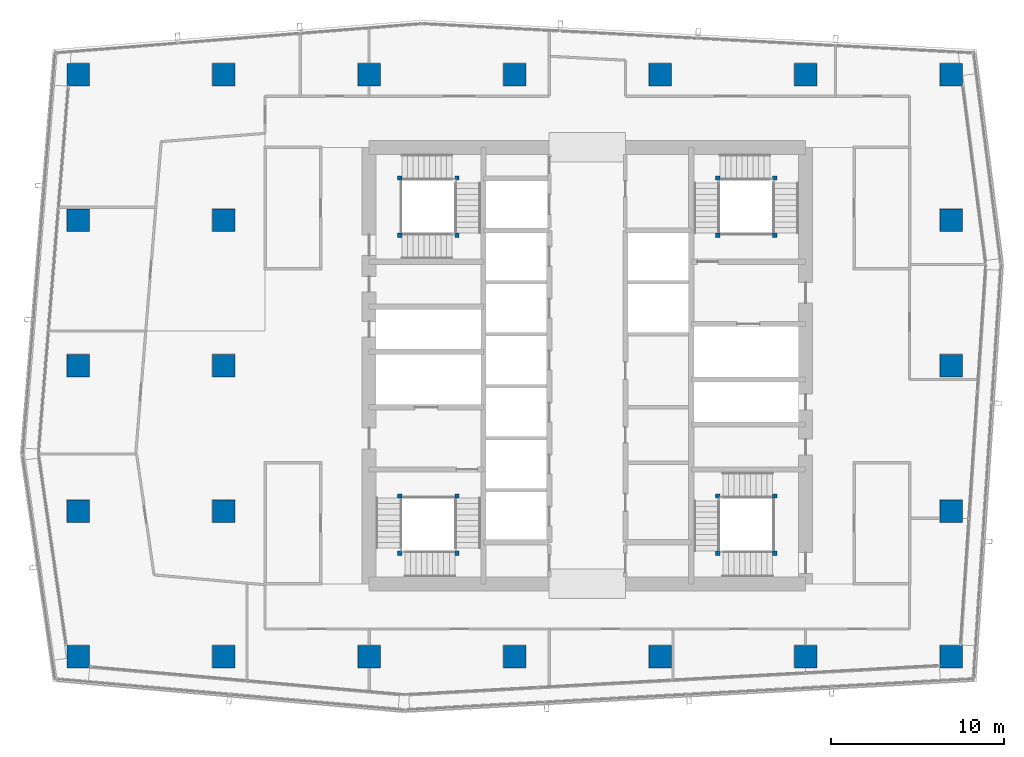
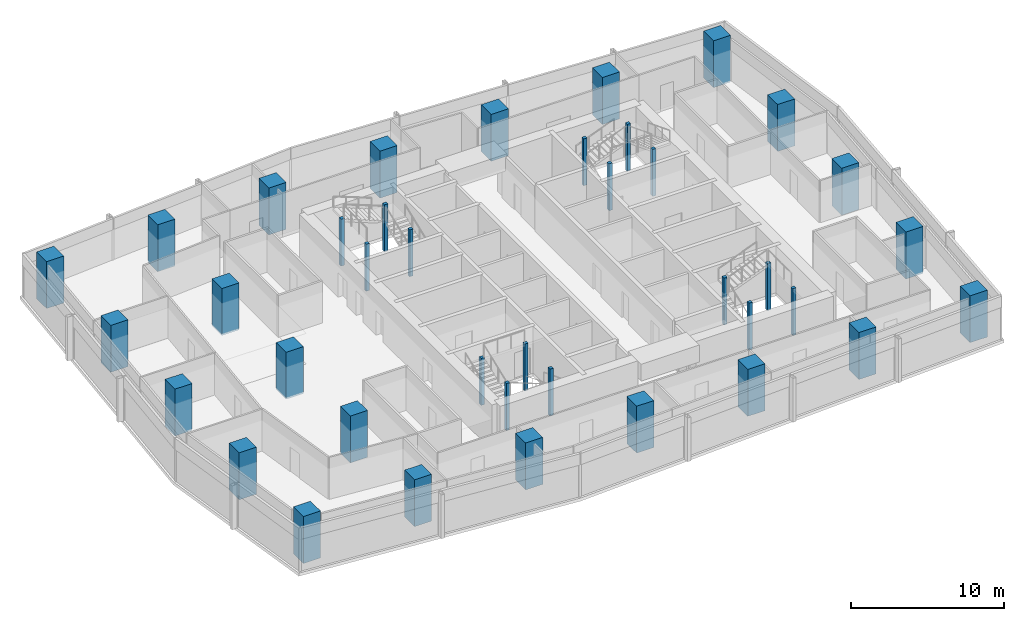
# One storey, part 1 of 29: 39 columns.
"""IFC4 building model written with IfcOpenShell, lengths in metres."""

from ifc_helpers import new_model, si_unit, direction, frame, origin, origin_2d, place, context, subcontext, project, spatial, rectangle, extrude, material, material_profile, profile_set, type_object, element, save


model = new_model("IFC4")

# Units and contexts
model_context = context("Model", 3, precision=1e-05, world=origin(), true_north=direction((0.0, 1.0)))
body_context = subcontext(model_context, "Body", "Model", "MODEL_VIEW")
ifc_project = project(units=[si_unit("LENGTHUNIT", "METRE"), si_unit("AREAUNIT", "SQUARE_METRE"), si_unit("VOLUMEUNIT", "CUBIC_METRE"), si_unit("PLANEANGLEUNIT", "RADIAN"), si_unit("MASSUNIT", "GRAM", prefix="KILO")], contexts=[model_context])

# Site, building, storey
site_placement = place(None, origin())
site = spatial("IfcSite", under=ifc_project, at=site_placement, CompositionType="ELEMENT")
building_placement = place(site_placement, origin())
building = spatial("IfcBuilding", under=site, at=building_placement, Name="Rekha Terrace Tower", CompositionType="ELEMENT")
storey_placement = place(building_placement, frame((0.0, 0.0, 276.35009765625)))
storey = spatial("IfcBuildingStorey", under=building, at=storey_placement, Name="L70", CompositionType="ELEMENT", Elevation=276.35009765625)

# Columns
ifc_material_1 = material(Name="Concrete M70", Category="concrete")
ifc_material_profile_1 = material_profile(ifc_material_1, rectangle(XDim=1.300048828125, YDim=1.300048828125, at=origin_2d()), Name="RC 1300x1300")
ifc_profile_set_1 = profile_set([ifc_material_profile_1], Name="Concrete M70")
column_type_1 = type_object("IfcColumnType", Name="C5C 1300x1300 column", PredefinedType="COLUMN", material=ifc_profile_set_1)
for number, where, z_axis, x_axis, name in (
    (1, (8.39990234375, 16.800048828125, 0.0), (0.0, 0.0, 1.0), (1.0, 0.0, 0.0), "Column C5C 2/C L70"),
    (2, (8.39990234375, 25.199951171875, 0.0), (0.0, 0.0, 1.0), (1.0, 0.0, 0.0), "Column C5C 2/D L70"),
    (3, (8.39990234375, 33.60009765625, 0.0), (0.0, 0.0, 1.0), (1.0, 0.0, 0.0), "Column C5C 2/E L70"),
    (4, (8.39990234375, 42.0, 0.0), (0.0, 0.0, 1.0), (1.0, 0.0, 0.0), "Column C5C 2/F L70"),
    (5, (8.39990234375, 50.39990234375, 0.0), (0.0, 0.0, 1.0), (1.0, 0.0, 0.0), "Column C5C 2/G L70"),
    (6, (16.800048828125, 16.800048828125, 0.0), (0.0, 0.0, 1.0), (1.0, 0.0, 0.0), "Column C5C 3/C L70"),
    (7, (16.800048828125, 25.199951171875, 0.0), (0.0, 0.0, 1.0), (1.0, 0.0, 0.0), "Column C5C 3/D L70"),
    (8, (16.800048828125, 33.60009765625, 0.0), (0.0, 0.0, 1.0), (1.0, 0.0, 0.0), "Column C5C 3/E L70"),
    (9, (16.800048828125, 42.0, 0.0), (0.0, 0.0, 1.0), (1.0, 0.0, 0.0), "Column C5C 3/F L70"),
    (10, (16.800048828125, 50.39990234375, 0.0), (0.0, 0.0, 1.0), (1.0, 0.0, 0.0), "Column C5C 3/G L70"),
    (11, (25.199951171875, 16.800048828125, 0.0), (0.0, 0.0, 1.0), (1.0, 0.0, 0.0), "Column C5C 4/C L70"),
    (12, (25.199951171875, 50.39990234375, 0.0), (0.0, 0.0, 1.0), (1.0, 0.0, 0.0), "Column C5C 4/G L70"),
    (13, (33.60009765625, 16.800048828125, 0.0), (0.0, 0.0, 1.0), (1.0, 0.0, 0.0), "Column C5C 5/C L70"),
    (14, (33.60009765625, 50.39990234375, 0.0), (0.0, 0.0, 1.0), (1.0, 0.0, 0.0), "Column C5C 5/G L70"),
    (15, (42.0, 16.800048828125, 0.0), (0.0, 0.0, 1.0), (1.0, 0.0, 0.0), "Column C5C 6/C L70"),
    (16, (42.0, 50.39990234375, 0.0), (0.0, 0.0, 1.0), (1.0, 0.0, 0.0), "Column C5C 6/G L70"),
    (17, (50.39990234375, 16.800048828125, 0.0), (0.0, 0.0, 1.0), (1.0, 0.0, 0.0), "Column C5C 7/C L70"),
    (18, (50.39990234375, 50.39990234375, 0.0), (0.0, 0.0, 1.0), (1.0, 0.0, 0.0), "Column C5C 7/G L70"),
    (19, (58.800048828125, 16.800048828125, 0.0), (0.0, 0.0, 1.0), (1.0, 0.0, 0.0), "Column C5C 8/C L70"),
    (20, (58.800048828125, 25.199951171875, 0.0), (0.0, 0.0, 1.0), (1.0, 0.0, 0.0), "Column C5C 8/D L70"),
    (21, (58.800048828125, 33.60009765625, 0.0), (0.0, 0.0, 1.0), (1.0, 0.0, 0.0), "Column C5C 8/E L70"),
    (22, (58.800048828125, 42.0, 0.0), (0.0, 0.0, 1.0), (1.0, 0.0, 0.0), "Column C5C 8/F L70"),
    (23, (58.800048828125, 50.39990234375, 0.0), (0.0, 0.0, 1.0), (1.0, 0.0, 0.0), "Column C5C 8/G L70"),
):
    element("IfcColumn", number, at=place(storey_placement, frame(where, z_axis=z_axis, x_axis=x_axis)), inside=storey, type_object=column_type_1, Name=name, PredefinedType="COLUMN", context=body_context, shape_type="SweptSolid", body=[
        extrude(rectangle(XDim=1.300048828125, YDim=1.300048828125, at=origin_2d()), origin(), (0.0, 0.0, 1.0), 3.75),
    ])
ifc_material_2 = material(Name="Concrete M60", Category="concrete")
ifc_material_profile_2 = material_profile(ifc_material_2, rectangle(XDim=0.25, YDim=0.25, at=origin_2d()), Name="RC 250x250")
ifc_profile_set_2 = profile_set([ifc_material_profile_2], Name="Concrete M60")
column_type_2 = type_object("IfcColumnType", Name="NP1 250x250 stair newel post", PredefinedType="COLUMN", material=ifc_profile_set_2)
for number, where, z_axis, x_axis, name in (
    (24, (30.27490234375, 26.074951171875, 0.0), (0.0, 0.0, 1.0), (1.0, 0.0, 0.0), "Stair newel post NP1"),
    (25, (30.27490234375, 22.77490234375, 0.0), (0.0, 0.0, 1.0), (1.0, 0.0, 0.0), "Stair newel post NP1"),
    (26, (26.97509765625, 22.77490234375, 0.0), (0.0, 0.0, 1.0), (1.0, 0.0, 0.0), "Stair newel post NP1"),
    (27, (26.97509765625, 26.074951171875, 0.0), (0.0, 0.0, 1.0), (1.0, 0.0, 0.0), "Stair newel post NP1"),
    (28, (45.324951171875, 41.125, 0.0), (0.0, 0.0, 1.0), (1.0, 0.0, 0.0), "Stair newel post NP1"),
    (29, (45.324951171875, 44.425048828125, 0.0), (0.0, 0.0, 1.0), (1.0, 0.0, 0.0), "Stair newel post NP1"),
    (30, (48.625, 44.425048828125, 0.0), (0.0, 0.0, 1.0), (1.0, 0.0, 0.0), "Stair newel post NP1"),
    (31, (48.625, 41.125, 0.0), (0.0, 0.0, 1.0), (1.0, 0.0, 0.0), "Stair newel post NP1"),
    (32, (48.625, 22.77490234375, 0.0), (0.0, 0.0, 1.0), (1.0, 0.0, 0.0), "Stair newel post NP1"),
    (33, (45.324951171875, 22.77490234375, 0.0), (0.0, 0.0, 1.0), (1.0, 0.0, 0.0), "Stair newel post NP1"),
    (34, (45.324951171875, 26.074951171875, 0.0), (0.0, 0.0, 1.0), (1.0, 0.0, 0.0), "Stair newel post NP1"),
    (35, (48.625, 26.074951171875, 0.0), (0.0, 0.0, 1.0), (1.0, 0.0, 0.0), "Stair newel post NP1"),
    (36, (26.97509765625, 41.125, 0.0), (0.0, 0.0, 1.0), (1.0, 0.0, 0.0), "Stair newel post NP1"),
    (37, (30.27490234375, 41.125, 0.0), (0.0, 0.0, 1.0), (1.0, 0.0, 0.0), "Stair newel post NP1"),
    (38, (30.27490234375, 44.425048828125, 0.0), (0.0, 0.0, 1.0), (1.0, 0.0, 0.0), "Stair newel post NP1"),
    (39, (26.97509765625, 44.425048828125, 0.0), (0.0, 0.0, 1.0), (1.0, 0.0, 0.0), "Stair newel post NP1"),
):
    element("IfcColumn", number, at=place(storey_placement, frame(where, z_axis=z_axis, x_axis=x_axis)), inside=storey, type_object=column_type_2, Name=name, PredefinedType="COLUMN", context=body_context, shape_type="SweptSolid", body=[
        extrude(rectangle(XDim=0.25, YDim=0.25, at=origin_2d()), origin(), (0.0, 0.0, 1.0), 3.75),
    ])

save(model, "model.ifc")
